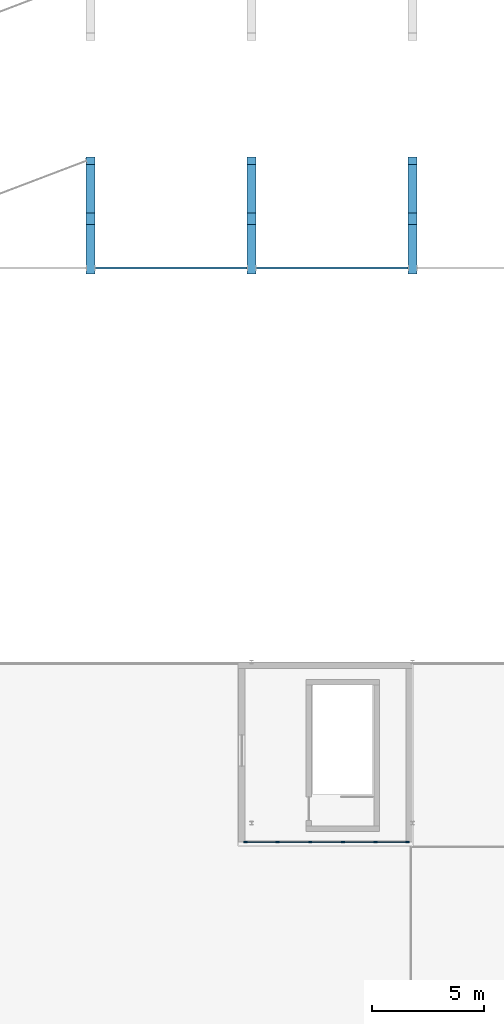
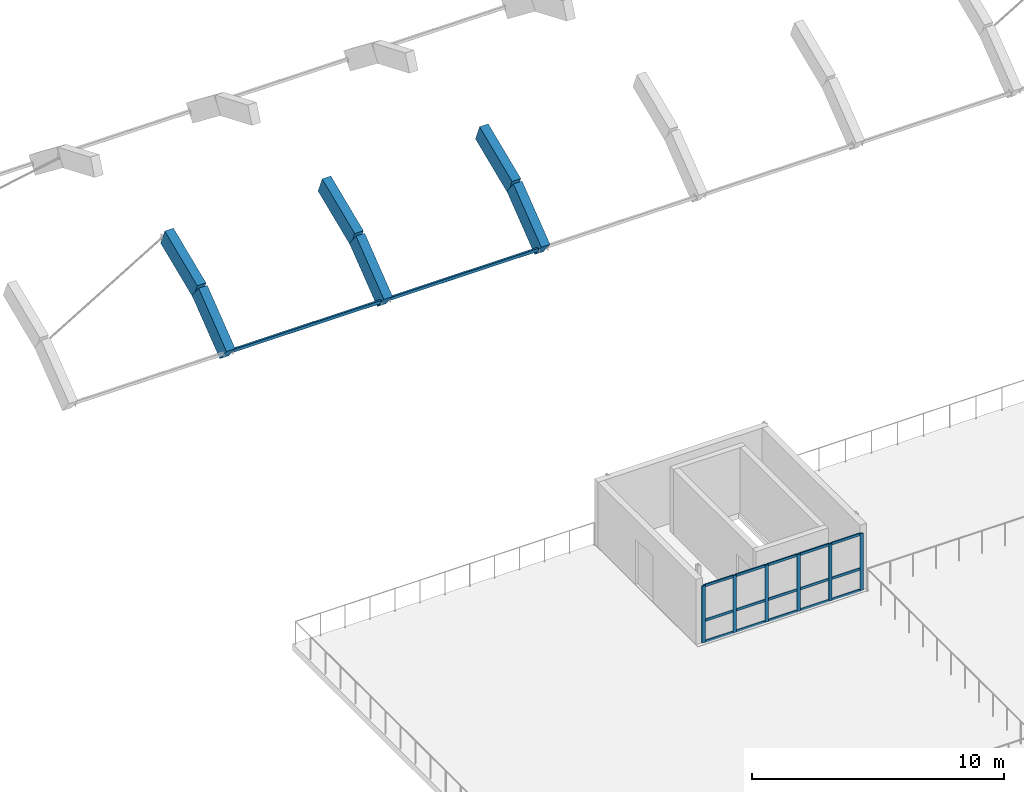
# One storey, part 10 of 64: 23 members, 6 beams, 1 element without a shape of its own.
"""IFC4 building model written with IfcOpenShell, lengths in metres."""

from ifc_helpers import new_model, si_unit, direction, frame, origin, origin_2d, place, context, subcontext, project, spatial, rectangle, hollow_rectangle, extrude, material, layer, layer_set, material_profile, profile_set, type_object, element, aggregate, save


model = new_model("IFC4")

# Units and contexts
model_context = context("Model", 3, precision=1e-05, world=origin(), true_north=direction((0.0, 1.0)))
body_context = subcontext(model_context, "Body", "Model", "MODEL_VIEW")
ifc_project = project(units=[si_unit("LENGTHUNIT", "METRE"), si_unit("AREAUNIT", "SQUARE_METRE"), si_unit("VOLUMEUNIT", "CUBIC_METRE"), si_unit("PLANEANGLEUNIT", "RADIAN"), si_unit("MASSUNIT", "GRAM", prefix="KILO")], contexts=[model_context])

# Site, building, storey
site_placement = place(None, origin())
site = spatial("IfcSite", under=ifc_project, at=site_placement, CompositionType="ELEMENT")
building_placement = place(site_placement, origin())
building = spatial("IfcBuilding", under=site, at=building_placement, Name="Ochrevale Crest", CompositionType="ELEMENT")
storey_placement = place(building_placement, frame((0.0, 0.0, 8.699951171875)))
storey = spatial("IfcBuildingStorey", under=building, at=storey_placement, Name="L02", CompositionType="ELEMENT", Elevation=8.699951171875)

# Beams
ifc_material_1 = material(Name="Precast concrete C50/60", Category="concrete")
ifc_material_profile_1 = material_profile(ifc_material_1, rectangle(XDim=0.39990234375, YDim=0.85009765625, at=origin_2d()), Name="PC 400x850")
ifc_profile_set_1 = profile_set([ifc_material_profile_1], Name="Precast concrete C50/60")
beam_type = type_object("IfcBeamType", Name="BM-AR400x850", PredefinedType="BEAM", material=ifc_profile_set_1)
for number, where, z_axis, x_axis, name in (
    (1, (64.800048828125, 46.42626953125, 0.81298828125), (0.0, 0.789347525519, 0.613946645856), (-1.0, 0.0, 0.0), "Precast vault arch rib AR-02 chord 3"),
    (2, (64.800048828125, 48.637939453125, 2.533203125), (0.0, 0.922358689009, 0.386334633201), (-1.0, 0.0, 0.0), "Precast vault arch rib AR-02 chord 4"),
    (3, (72.0, 46.42626953125, 0.81298828125), (0.0, 0.789347525519, 0.613946645856), (-1.0, 0.0, 0.0), "Precast vault arch rib AR-03 chord 3"),
    (4, (72.0, 48.637939453125, 2.533203125), (0.0, 0.922358689009, 0.386334633201), (-1.0, 0.0, 0.0), "Precast vault arch rib AR-03 chord 4"),
    (5, (79.199951171875, 46.42626953125, 0.81298828125), (0.0, 0.789347525519, 0.613946645856), (-1.0, 0.0, 0.0), "Precast vault arch rib AR-04 chord 3"),
    (6, (79.199951171875, 48.637939453125, 2.533203125), (0.0, 0.922358689009, 0.386334633201), (-1.0, 0.0, 0.0), "Precast vault arch rib AR-04 chord 4"),
):
    element("IfcBeam", number, at=place(storey_placement, frame(where, z_axis=z_axis, x_axis=x_axis)), inside=storey, type_object=beam_type, Name=name, PredefinedType="BEAM", context=body_context, shape_type="SweptSolid", body=[
        extrude(rectangle(XDim=0.39990234375, YDim=0.85009765625, at=origin_2d()), origin(), (0.0, 0.0, 1.0), 2.802001953125),
    ])

# Curtain wall, members
ifc_material_2 = material(Name="Anodised aluminium 6063-T5", Category="aluminium")
ifc_layer = layer(ifc_material_2, 0.14990234375)
ifc_layer_set = layer_set([ifc_layer], Name="Anodised aluminium 6063-T5")
curtain_wall_type = type_object("IfcCurtainWallType", Name="CW-RG-300x275", PredefinedType="NOTDEFINED", material=ifc_layer_set)
curtain_wall_placement = place(storey_placement, origin())
curtain_wall = element("IfcCurtainWall", 7, at=curtain_wall_placement, inside=storey, type_object=curtain_wall_type, Name="South roof-garden sunroom south curtain wall", PredefinedType="NOTDEFINED")
ifc_material_profile_2 = material_profile(ifc_material_2, rectangle(XDim=0.06494140625, YDim=0.14990234375, at=origin_2d()), Name="ALU 65x150")
ifc_profile_set_2 = profile_set([ifc_material_profile_2], Name="Anodised aluminium 6063-T5")
member_type_1 = type_object("IfcMemberType", Name="CW-MUL-65x150", PredefinedType="MULLION", material=ifc_profile_set_2)
member_1_placement = place(storey_placement, frame((71.732421875, 20.75, 0.0), z_axis=(0.0, 0.0, 1.0), x_axis=(0.0, 1.0, 0.0)))
member_1 = element("IfcMember", 8, at=member_1_placement, type_object=member_type_1, Name="CW14 mullion 1", PredefinedType="MULLION", context=body_context, shape_type="SweptSolid", body=[
    extrude(rectangle(XDim=0.06494140625, YDim=0.14990234375, at=origin_2d()), origin(), (0.0, 0.0, 1.0), 2.75),
])
member_2_placement = place(storey_placement, frame((73.159912109375, 20.75, 0.0), z_axis=(0.0, 0.0, 1.0), x_axis=(0.0, 1.0, 0.0)))
member_2 = element("IfcMember", 9, at=member_2_placement, type_object=member_type_1, Name="CW14 mullion 2", PredefinedType="MULLION", context=body_context, shape_type="SweptSolid", body=[
    extrude(rectangle(XDim=0.06494140625, YDim=0.14990234375, at=origin_2d()), origin(), (0.0, 0.0, 1.0), 2.75),
])
member_3_placement = place(storey_placement, frame((74.6201171875, 20.75, 0.0), z_axis=(0.0, 0.0, 1.0), x_axis=(0.0, 1.0, 0.0)))
member_3 = element("IfcMember", 10, at=member_3_placement, type_object=member_type_1, Name="CW14 mullion 3", PredefinedType="MULLION", context=body_context, shape_type="SweptSolid", body=[
    extrude(rectangle(XDim=0.06494140625, YDim=0.14990234375, at=origin_2d()), origin(), (0.0, 0.0, 1.0), 2.75),
])
member_4_placement = place(storey_placement, frame((76.080078125, 20.75, 0.0), z_axis=(0.0, 0.0, 1.0), x_axis=(0.0, 1.0, 0.0)))
member_4 = element("IfcMember", 11, at=member_4_placement, type_object=member_type_1, Name="CW14 mullion 4", PredefinedType="MULLION", context=body_context, shape_type="SweptSolid", body=[
    extrude(rectangle(XDim=0.06494140625, YDim=0.14990234375, at=origin_2d()), origin(), (0.0, 0.0, 1.0), 2.75),
])
member_5_placement = place(storey_placement, frame((77.5400390625, 20.75, 0.0), z_axis=(0.0, 0.0, 1.0), x_axis=(0.0, 1.0, 0.0)))
member_5 = element("IfcMember", 12, at=member_5_placement, type_object=member_type_1, Name="CW14 mullion 5", PredefinedType="MULLION", context=body_context, shape_type="SweptSolid", body=[
    extrude(rectangle(XDim=0.06494140625, YDim=0.14990234375, at=origin_2d()), origin(), (0.0, 0.0, 1.0), 2.75),
])
member_6_placement = place(storey_placement, frame((78.967529296875, 20.75, 0.0), z_axis=(0.0, 0.0, 1.0), x_axis=(0.0, 1.0, 0.0)))
member_6 = element("IfcMember", 13, at=member_6_placement, type_object=member_type_1, Name="CW14 mullion 6", PredefinedType="MULLION", context=body_context, shape_type="SweptSolid", body=[
    extrude(rectangle(XDim=0.06494140625, YDim=0.14990234375, at=origin_2d()), origin(), (0.0, 0.0, 1.0), 2.75),
])
ifc_material_profile_3 = material_profile(ifc_material_2, rectangle(XDim=0.054931640625, YDim=0.1201171875, at=origin_2d()), Name="ALU 55x120")
ifc_profile_set_3 = profile_set([ifc_material_profile_3], Name="Anodised aluminium 6063-T5")
member_type_2 = type_object("IfcMemberType", Name="CW-TRN-55x120", PredefinedType="USERDEFINED", material=ifc_profile_set_3)
member_7_placement = place(storey_placement, frame((71.764892578125, 20.75, 0.027587890625), z_axis=(1.0, 0.0, 0.0), x_axis=(0.0, 1.0, 0.0)))
member_7 = element("IfcMember", 14, at=member_7_placement, type_object=member_type_2, Name="CW14 transom 1.1", ObjectType="TRANSOM", PredefinedType="USERDEFINED", context=body_context, shape_type="SweptSolid", body=[
    extrude(rectangle(XDim=0.054931640625, YDim=0.1201171875, at=origin_2d()), origin(), (0.0, 0.0, 1.0), 1.362548828125),
])
member_8_placement = place(storey_placement, frame((71.764892578125, 20.75, 1.050048828125), z_axis=(1.0, 0.0, 0.0), x_axis=(0.0, 1.0, 0.0)))
member_8 = element("IfcMember", 15, at=member_8_placement, type_object=member_type_2, Name="CW14 transom 1.2", ObjectType="TRANSOM", PredefinedType="USERDEFINED", context=body_context, shape_type="SweptSolid", body=[
    extrude(rectangle(XDim=0.054931640625, YDim=0.1201171875, at=origin_2d()), origin(), (0.0, 0.0, 1.0), 1.362548828125),
])
member_9_placement = place(storey_placement, frame((71.764892578125, 20.75, 2.72265625), z_axis=(1.0, 0.0, 0.0), x_axis=(0.0, 1.0, 0.0)))
member_9 = element("IfcMember", 16, at=member_9_placement, type_object=member_type_2, Name="CW14 transom 1.3", ObjectType="TRANSOM", PredefinedType="USERDEFINED", context=body_context, shape_type="SweptSolid", body=[
    extrude(rectangle(XDim=0.054931640625, YDim=0.1201171875, at=origin_2d()), origin(), (0.0, 0.0, 1.0), 1.362548828125),
])
member_10_placement = place(storey_placement, frame((73.1923828125, 20.75, 0.027587890625), z_axis=(1.0, 0.0, 0.0), x_axis=(0.0, 1.0, 0.0)))
member_10 = element("IfcMember", 17, at=member_10_placement, type_object=member_type_2, Name="CW14 transom 2.1", ObjectType="TRANSOM", PredefinedType="USERDEFINED", context=body_context, shape_type="SweptSolid", body=[
    extrude(rectangle(XDim=0.054931640625, YDim=0.1201171875, at=origin_2d()), origin(), (0.0, 0.0, 1.0), 1.39501953125),
])
member_11_placement = place(storey_placement, frame((73.1923828125, 20.75, 1.050048828125), z_axis=(1.0, 0.0, 0.0), x_axis=(0.0, 1.0, 0.0)))
member_11 = element("IfcMember", 18, at=member_11_placement, type_object=member_type_2, Name="CW14 transom 2.2", ObjectType="TRANSOM", PredefinedType="USERDEFINED", context=body_context, shape_type="SweptSolid", body=[
    extrude(rectangle(XDim=0.054931640625, YDim=0.1201171875, at=origin_2d()), origin(), (0.0, 0.0, 1.0), 1.39501953125),
])
member_12_placement = place(storey_placement, frame((73.1923828125, 20.75, 2.72265625), z_axis=(1.0, 0.0, 0.0), x_axis=(0.0, 1.0, 0.0)))
member_12 = element("IfcMember", 19, at=member_12_placement, type_object=member_type_2, Name="CW14 transom 2.3", ObjectType="TRANSOM", PredefinedType="USERDEFINED", context=body_context, shape_type="SweptSolid", body=[
    extrude(rectangle(XDim=0.054931640625, YDim=0.1201171875, at=origin_2d()), origin(), (0.0, 0.0, 1.0), 1.39501953125),
])
member_13_placement = place(storey_placement, frame((74.652587890625, 20.75, 0.027587890625), z_axis=(1.0, 0.0, 0.0), x_axis=(0.0, 1.0, 0.0)))
member_13 = element("IfcMember", 20, at=member_13_placement, type_object=member_type_2, Name="CW14 transom 3.1", ObjectType="TRANSOM", PredefinedType="USERDEFINED", context=body_context, shape_type="SweptSolid", body=[
    extrude(rectangle(XDim=0.054931640625, YDim=0.1201171875, at=origin_2d()), origin(), (0.0, 0.0, 1.0), 1.39501953125),
])
member_14_placement = place(storey_placement, frame((74.652587890625, 20.75, 1.050048828125), z_axis=(1.0, 0.0, 0.0), x_axis=(0.0, 1.0, 0.0)))
member_14 = element("IfcMember", 21, at=member_14_placement, type_object=member_type_2, Name="CW14 transom 3.2", ObjectType="TRANSOM", PredefinedType="USERDEFINED", context=body_context, shape_type="SweptSolid", body=[
    extrude(rectangle(XDim=0.054931640625, YDim=0.1201171875, at=origin_2d()), origin(), (0.0, 0.0, 1.0), 1.39501953125),
])
member_15_placement = place(storey_placement, frame((74.652587890625, 20.75, 2.72265625), z_axis=(1.0, 0.0, 0.0), x_axis=(0.0, 1.0, 0.0)))
member_15 = element("IfcMember", 22, at=member_15_placement, type_object=member_type_2, Name="CW14 transom 3.3", ObjectType="TRANSOM", PredefinedType="USERDEFINED", context=body_context, shape_type="SweptSolid", body=[
    extrude(rectangle(XDim=0.054931640625, YDim=0.1201171875, at=origin_2d()), origin(), (0.0, 0.0, 1.0), 1.39501953125),
])
member_16_placement = place(storey_placement, frame((76.112548828125, 20.75, 0.027587890625), z_axis=(1.0, 0.0, 0.0), x_axis=(0.0, 1.0, 0.0)))
member_16 = element("IfcMember", 23, at=member_16_placement, type_object=member_type_2, Name="CW14 transom 4.1", ObjectType="TRANSOM", PredefinedType="USERDEFINED", context=body_context, shape_type="SweptSolid", body=[
    extrude(rectangle(XDim=0.054931640625, YDim=0.1201171875, at=origin_2d()), origin(), (0.0, 0.0, 1.0), 1.39501953125),
])
member_17_placement = place(storey_placement, frame((76.112548828125, 20.75, 1.050048828125), z_axis=(1.0, 0.0, 0.0), x_axis=(0.0, 1.0, 0.0)))
member_17 = element("IfcMember", 24, at=member_17_placement, type_object=member_type_2, Name="CW14 transom 4.2", ObjectType="TRANSOM", PredefinedType="USERDEFINED", context=body_context, shape_type="SweptSolid", body=[
    extrude(rectangle(XDim=0.054931640625, YDim=0.1201171875, at=origin_2d()), origin(), (0.0, 0.0, 1.0), 1.39501953125),
])
member_18_placement = place(storey_placement, frame((76.112548828125, 20.75, 2.72265625), z_axis=(1.0, 0.0, 0.0), x_axis=(0.0, 1.0, 0.0)))
member_18 = element("IfcMember", 25, at=member_18_placement, type_object=member_type_2, Name="CW14 transom 4.3", ObjectType="TRANSOM", PredefinedType="USERDEFINED", context=body_context, shape_type="SweptSolid", body=[
    extrude(rectangle(XDim=0.054931640625, YDim=0.1201171875, at=origin_2d()), origin(), (0.0, 0.0, 1.0), 1.39501953125),
])
member_19_placement = place(storey_placement, frame((77.572509765625, 20.75, 0.027587890625), z_axis=(1.0, 0.0, 0.0), x_axis=(0.0, 1.0, 0.0)))
member_19 = element("IfcMember", 26, at=member_19_placement, type_object=member_type_2, Name="CW14 transom 5.1", ObjectType="TRANSOM", PredefinedType="USERDEFINED", context=body_context, shape_type="SweptSolid", body=[
    extrude(rectangle(XDim=0.054931640625, YDim=0.1201171875, at=origin_2d()), origin(), (0.0, 0.0, 1.0), 1.362548828125),
])
member_20_placement = place(storey_placement, frame((77.572509765625, 20.75, 1.050048828125), z_axis=(1.0, 0.0, 0.0), x_axis=(0.0, 1.0, 0.0)))
member_20 = element("IfcMember", 27, at=member_20_placement, type_object=member_type_2, Name="CW14 transom 5.2", ObjectType="TRANSOM", PredefinedType="USERDEFINED", context=body_context, shape_type="SweptSolid", body=[
    extrude(rectangle(XDim=0.054931640625, YDim=0.1201171875, at=origin_2d()), origin(), (0.0, 0.0, 1.0), 1.362548828125),
])
member_21_placement = place(storey_placement, frame((77.572509765625, 20.75, 2.72265625), z_axis=(1.0, 0.0, 0.0), x_axis=(0.0, 1.0, 0.0)))
member_21 = element("IfcMember", 28, at=member_21_placement, type_object=member_type_2, Name="CW14 transom 5.3", ObjectType="TRANSOM", PredefinedType="USERDEFINED", context=body_context, shape_type="SweptSolid", body=[
    extrude(rectangle(XDim=0.054931640625, YDim=0.1201171875, at=origin_2d()), origin(), (0.0, 0.0, 1.0), 1.362548828125),
])
aggregate(curtain_wall, [member_1, member_2, member_3, member_4, member_5, member_6, member_7, member_8, member_9, member_10, member_11, member_12, member_13, member_14, member_15, member_16, member_17, member_18, member_19, member_20, member_21])

# Members
ifc_material_3 = material(Name="Steel S355", Category="steel")
ifc_material_profile_4 = material_profile(ifc_material_3, hollow_rectangle(XDim=0.10009765625, YDim=0.14990234375, WallThickness=0.0048828125, InnerFilletRadius=0.0048828125, OuterFilletRadius=0.010009765625, at=origin_2d()), Name="150x100x5.0RHS")
ifc_profile_set_4 = profile_set([ifc_material_profile_4], Name="Steel S355")
member_type_3 = type_object("IfcMemberType", Name="MEM-RHS150-PR", PredefinedType="PURLIN", material=ifc_profile_set_4)
for number, where, z_axis, x_axis, name in (
    (29, (65.0, 46.42626953125, 0.89306640625), (1.0, 0.0, 0.0), (0.0, 1.0, 0.0), "Vault longitudinal steel purlin B2-2"),
    (30, (72.199951171875, 46.42626953125, 0.89306640625), (1.0, 0.0, 0.0), (0.0, 1.0, 0.0), "Vault longitudinal steel purlin B3-2"),
):
    element("IfcMember", number, at=place(storey_placement, frame(where, z_axis=z_axis, x_axis=x_axis)), inside=storey, type_object=member_type_3, Name=name, PredefinedType="PURLIN", context=body_context, shape_type="SweptSolid", body=[
        extrude(hollow_rectangle(XDim=0.10009765625, YDim=0.14990234375, WallThickness=0.0048828125, InnerFilletRadius=0.0048828125, OuterFilletRadius=0.010009765625, at=origin_2d()), origin(), (0.0, 0.0, 1.0), 6.800048828125),
    ])

save(model, "model.ifc")
